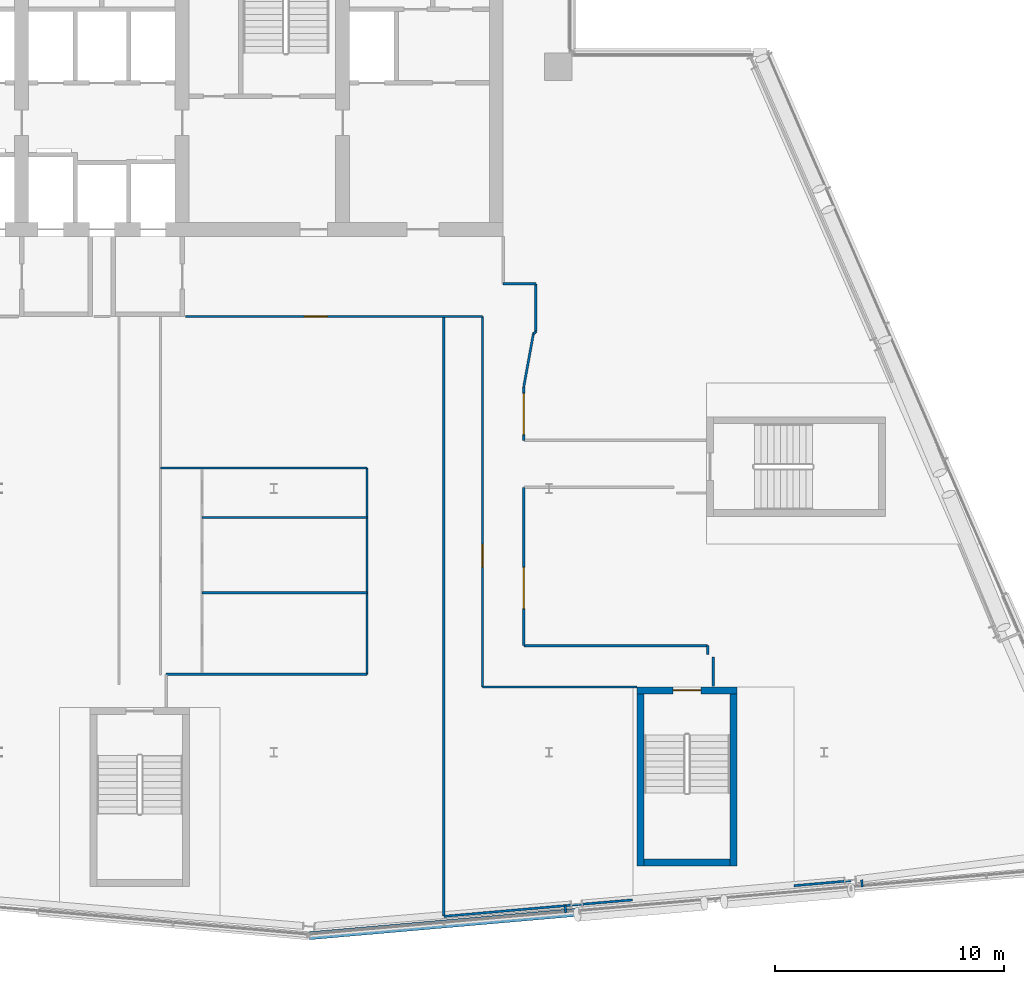
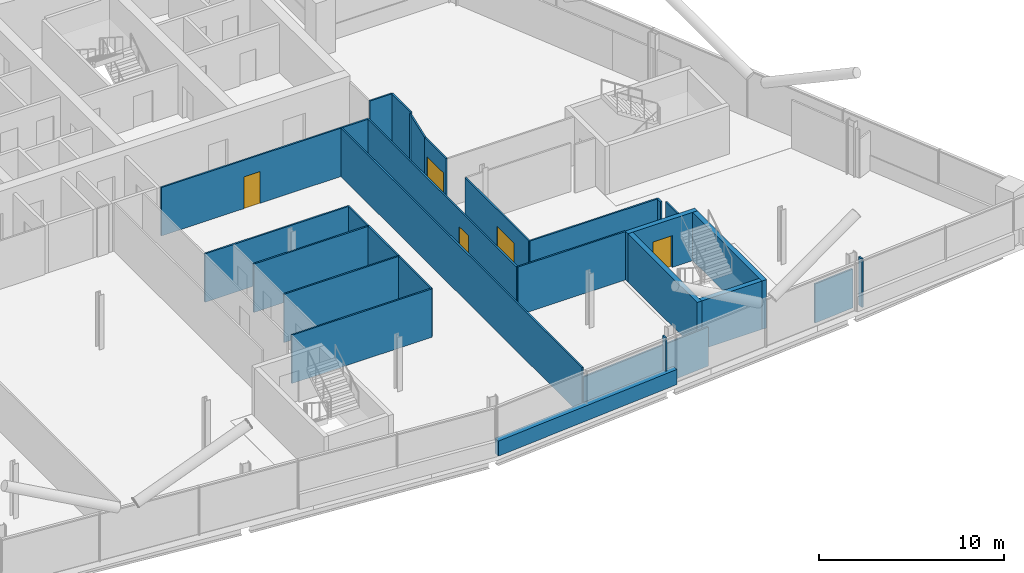
# One storey, part 16 of 26: 28 walls, 5 doors, 5 openings.
"""IFC4 building model written with IfcOpenShell, lengths in metres."""

import ifcopenshell
import ifcopenshell.guid

model = None  # the IFC model being written
_history = None  # IfcOwnerHistory: only IFC2X3 demands one
_inside = {}  # id of a spatial element -> (the spatial element, [elements in it])
_under = {}  # id of a project, library or spatial element -> (it, [spatial elements below it])
_declared = {}  # id of a project -> (the project, [libraries it declares])
_typed = {}  # id of a type object -> (the type object, [elements of that type])
_made_of = {}  # id of a material, layer set ... -> (it, [elements and type objects made of it])


def new_model(schema):
    """Start an empty IFC model of exactly this schema.

    Asked for "IFC4X3", IfcOpenShell would pick the latest addendum, in which some entities
    have other attributes; the version numbers below select the first issue.
    IFC2X3 requires an IfcOwnerHistory on every rooted entity: one is made here for all.
    """
    global model, _history
    if schema == "IFC4X3":
        model = ifcopenshell.file(schema_version=(4, 3, 0, 0))
    else:
        model = ifcopenshell.file(schema=schema)
    _inside.clear()
    _under.clear()
    _declared.clear()
    _typed.clear()
    _made_of.clear()
    _history = None
    if model.schema == "IFC2X3":
        org = make("IfcOrganization", Name="unknown")
        user = make(
            "IfcPersonAndOrganization",
            ThePerson=make("IfcPerson", FamilyName="unknown"),
            TheOrganization=org,
        )
        app = make(
            "IfcApplication",
            ApplicationDeveloper=org,
            Version="unknown",
            ApplicationFullName="unknown",
            ApplicationIdentifier="unknown",
        )
        _history = make(
            "IfcOwnerHistory",
            OwningUser=user,
            OwningApplication=app,
            ChangeAction="ADDED",
            CreationDate=0,
        )
    return model


def make(cls, **values):
    """One entity of the class cls with the attributes given. An attribute that is None is left unset."""
    return model.create_entity(
        cls, **{name: value for name, value in values.items() if value is not None}
    )


def rooted(cls, **values):
    """An entity with a GlobalId (a new one), such as an element, a storey or a relation."""
    return make(cls, GlobalId=ifcopenshell.guid.new(), OwnerHistory=_history, **values)


def si_unit(unit_type, name, prefix=None):
    """IfcSIUnit, for example si_unit("LENGTHUNIT", "METRE", prefix="MILLI")."""
    return make("IfcSIUnit", UnitType=unit_type, Prefix=prefix, Name=name)


def assignment(units):
    """IfcUnitAssignment: the units of a project."""
    return None if units is None else make("IfcUnitAssignment", Units=units)


def point(xyz):
    """IfcCartesianPoint."""
    return None if xyz is None else make("IfcCartesianPoint", Coordinates=xyz)


def direction(xyz):
    """IfcDirection."""
    return None if xyz is None else make("IfcDirection", DirectionRatios=xyz)


def frame(location, z_axis=None, x_axis=None):
    """IfcAxis2Placement3D, a coordinate frame: its origin and axes. An axis left out is left unset."""
    return make(
        "IfcAxis2Placement3D",
        Location=point(location),
        Axis=direction(z_axis),
        RefDirection=direction(x_axis),
    )


def frame_2d(location, x_axis=None):
    """IfcAxis2Placement2D, a coordinate frame in the plane: its origin and x axis."""
    return make(
        "IfcAxis2Placement2D", Location=point(location), RefDirection=direction(x_axis)
    )


def origin():
    """The frame at (0, 0, 0) with its axes left unset."""
    return frame((0.0, 0.0, 0.0))


def place(relative_to, where):
    """IfcLocalPlacement: puts the frame where relative to a parent placement (None: the world)."""
    return make(
        "IfcLocalPlacement", PlacementRelTo=relative_to, RelativePlacement=where
    )


def context(
    kind, dimensions, precision=None, world=None, true_north=None, identifier=None
):
    """IfcGeometricRepresentationContext, for example the 3D "Model" context."""
    return make(
        "IfcGeometricRepresentationContext",
        ContextIdentifier=identifier,
        ContextType=kind,
        CoordinateSpaceDimension=dimensions,
        Precision=precision,
        WorldCoordinateSystem=world,
        TrueNorth=true_north,
    )


def subcontext(parent, identifier, kind, view, scale=None):
    """IfcGeometricRepresentationSubContext, for example "Body" below "Model"."""
    return make(
        "IfcGeometricRepresentationSubContext",
        ContextIdentifier=identifier,
        ContextType=kind,
        ParentContext=parent,
        TargetScale=scale,
        TargetView=view,
    )


def project(units=None, contexts=None):
    """IfcProject with its units and contexts."""
    return rooted(
        "IfcProject",
        Name="project",
        RepresentationContexts=contexts,
        UnitsInContext=assignment(units),
    )


def spatial(cls, under=None, at=None, **own):
    """A site, building, storey or space (cls), placed at a placement, below another one or the project."""
    s = rooted(cls, ObjectPlacement=at, **own)
    if under is not None:
        _under.setdefault(under.id(), (under, []))[1].append(s)
    return s


def profile(cls, at=None, kind="AREA", **sizes):
    """A parametric profile (cls). Its sizes go by their IFC names, for example OverallWidth=200.0."""
    return make(cls, ProfileType=kind, Position=at, **sizes)


def rectangle(**sizes):
    """IfcRectangleProfileDef."""
    return profile("IfcRectangleProfileDef", **sizes)


def extrude(swept, where, along, depth):
    """IfcExtrudedAreaSolid: the profile swept, set in the frame where, extruded along a direction by depth."""
    return make(
        "IfcExtrudedAreaSolid",
        SweptArea=swept,
        Position=where,
        ExtrudedDirection=direction(along),
        Depth=depth,
    )


def shape(context_of_items, identifier, shape_type, items):
    """IfcShapeRepresentation: the items that make up one representation, for example the "Body"."""
    return make(
        "IfcShapeRepresentation",
        ContextOfItems=context_of_items,
        RepresentationIdentifier=identifier,
        RepresentationType=shape_type,
        Items=items,
    )


def material(Name=None, Category=None):
    """IfcMaterial."""
    return make("IfcMaterial", Name=Name, Category=Category)


def layer(
    of_material, thickness, ventilated=None, Name=None, Category=None, Priority=None
):
    """IfcMaterialLayer: one layer of a wall or slab, of a material (None: an air gap)."""
    return make(
        "IfcMaterialLayer",
        Material=of_material,
        LayerThickness=thickness,
        IsVentilated=ventilated,
        Name=Name,
        Category=Category,
        Priority=Priority,
    )


def layer_set(layers, Name=None):
    """IfcMaterialLayerSet."""
    return make("IfcMaterialLayerSet", MaterialLayers=layers, LayerSetName=Name)


def made_of(thing, what):
    """Note that an element or type object is made of a material, layer set ...; save() writes the relation."""
    if what is not None:
        _made_of.setdefault(what.id(), (what, []))[1].append(thing)
    return thing


def type_object(cls, material=None, **own):
    """A type object (cls), such as IfcWallType, which elements share."""
    return made_of(rooted(cls, **own), material)


def element(
    cls,
    number,
    at=None,
    inside=None,
    cuts=None,
    type_object=None,
    material=None,
    context=None,
    identifier="Body",
    shape_type=None,
    held_by="IfcProductDefinitionShape",
    body=None,
    shapes=None,
    **own,
):
    """One element of the class cls, such as IfcWall. Its Tag is "e" and its number.

    at: its placement. inside: the storey or other place that contains it. cuts: it is an
    opening in that element (IfcRelVoidsElement). A single representation is given by context,
    identifier, shape_type and body (its items); several are given by shapes. held_by: the class
    of the entity that holds the representations. save() writes the other relations.
    """
    e = rooted(cls, Tag="e%d" % number, ObjectPlacement=at, **own)
    if body is not None:
        shapes = [shape(context, identifier, shape_type, body)]
    if shapes is not None:
        e.Representation = make(held_by, Representations=shapes)
    if inside is not None:
        _inside.setdefault(inside.id(), (inside, []))[1].append(e)
    if cuts is not None:
        rooted(
            "IfcRelVoidsElement", RelatingBuildingElement=cuts, RelatedOpeningElement=e
        )
    if type_object is not None:
        _typed.setdefault(type_object.id(), (type_object, []))[1].append(e)
    return made_of(e, material)


def fill(opening, filler):
    """IfcRelFillsElement: the door or window that sits in an opening."""
    return rooted(
        "IfcRelFillsElement",
        RelatingOpeningElement=opening,
        RelatedBuildingElement=filler,
    )


def aggregate(whole, parts):
    """IfcRelAggregates: a whole, such as a stair, and the parts it consists of."""
    return rooted("IfcRelAggregates", RelatingObject=whole, RelatedObjects=parts)


def save(model, path):
    """Write the relations noted so far, then the file.

    IfcRelAggregates (storeys below a building ...), IfcRelContainedInSpatialStructure (elements
    in a storey), IfcRelDefinesByType, IfcRelAssociatesMaterial and IfcRelDeclares: one each for
    every whole, place, type object, material and project.
    """
    for whole, parts in _under.values():
        aggregate(whole, parts)
    for where, things in _inside.values():
        rooted(
            "IfcRelContainedInSpatialStructure",
            RelatedElements=things,
            RelatingStructure=where,
        )
    for kind, things in _typed.values():
        rooted("IfcRelDefinesByType", RelatedObjects=things, RelatingType=kind)
    for what, things in _made_of.values():
        rooted("IfcRelAssociatesMaterial", RelatedObjects=things, RelatingMaterial=what)
    for by, libraries in _declared.values():
        rooted("IfcRelDeclares", RelatingContext=by, RelatedDefinitions=libraries)
    model.write(path)


model = new_model("IFC4")

# Units and contexts
model_context = context("Model", 3, precision=1e-05, world=origin(), true_north=direction((0.0, 1.0)))
body_context = subcontext(model_context, "Body", "Model", "MODEL_VIEW")
ifc_project = project(units=[si_unit("LENGTHUNIT", "METRE"), si_unit("AREAUNIT", "SQUARE_METRE"), si_unit("VOLUMEUNIT", "CUBIC_METRE"), si_unit("PLANEANGLEUNIT", "RADIAN"), si_unit("MASSUNIT", "GRAM", prefix="KILO")], contexts=[model_context])

# Site, building, storey
site_placement = place(None, origin())
site = spatial("IfcSite", under=ifc_project, at=site_placement, CompositionType="ELEMENT")
building_placement = place(site_placement, origin())
building = spatial("IfcBuilding", under=site, at=building_placement, Name="Wharfspan Tower", CompositionType="ELEMENT")
storey_placement = place(building_placement, frame((0.0, 0.0, 235.899902)))
storey = spatial("IfcBuildingStorey", under=building, at=storey_placement, Name="L59", CompositionType="ELEMENT", Elevation=235.899902)

# Wall, opening, door
ifc_material_1 = material(Name="Gypsum board on steel studs", Category="steel")
ifc_layer_1 = layer(ifc_material_1, 0.100098)
ifc_layer_set_1 = layer_set([ifc_layer_1], Name="Gypsum board on steel studs")
wall_type_1 = type_object("IfcWallType", Name="Compartment wall 100 EI 60", PredefinedType="PARTITIONING", material=ifc_layer_set_1)
wall_1_placement = place(storey_placement, frame((44.149902, 30.5, 0.0), z_axis=(0.0, 0.0, 1.0), x_axis=(1.0, 0.0, 0.0)))
wall_1 = element("IfcWall", 1, at=wall_1_placement, inside=storey, type_object=wall_type_1, Name="Partition L59.w015", PredefinedType="PARTITIONING", context=body_context, shape_type="SweptSolid", body=[
    extrude(rectangle(XDim=12.950195, YDim=0.100098, at=frame_2d((6.475098, 0.0))), origin(), (0.0, 0.0, 1.0), 3.200195),
])
opening_1_placement = place(wall_1_placement, frame((5.169922, 0.0, 0.0)))
opening_1 = element("IfcOpeningElement", 2, at=opening_1_placement, cuts=wall_1, Name="Opening D4-10", PredefinedType="OPENING", context=body_context, shape_type="SweptSolid", body=[
    extrude(rectangle(XDim=1.0, YDim=2.100098, at=frame_2d((0.5, 1.050049))), frame((0.0, 0.060059, 0.0), z_axis=(0.0, -1.0, 0.0), x_axis=(1.0, 0.0, 0.0)), (0.0, 0.0, 1.0), 0.120117),
])
ifc_material_2 = material(Name="Fire-rated timber door leaf in steel frame", Category="steel")
door_type_1 = type_object("IfcDoorType", Name="Door 1000 FD30S Left", OperationType="SINGLE_SWING_LEFT", PredefinedType="DOOR", material=ifc_material_2)
door_1_placement = place(opening_1_placement, origin())
door_1 = element("IfcDoor", 3, at=door_1_placement, inside=storey, type_object=door_type_1, Name="Door D4-10", OperationType="SINGLE_SWING_LEFT", OverallHeight=2.100098, OverallWidth=1.0, PredefinedType="DOOR", context=body_context, shape_type="SweptSolid", body=[
    extrude(rectangle(XDim=1.0, YDim=2.100098, at=frame_2d((0.5, 1.050049))), frame((0.0, 0.024902, 0.0), z_axis=(0.0, -1.0, 0.0), x_axis=(1.0, 0.0, 0.0)), (0.0, 0.0, 1.0), 0.050049),
])
fill(opening_1, door_1)

# Walls
wall_2_placement = place(storey_placement, frame((43.060059, 23.89502, 0.0), z_axis=(0.0, 0.0, 1.0), x_axis=(1.0, 0.0, 0.0)))
element("IfcWall", 4, at=wall_2_placement, inside=storey, type_object=wall_type_1, Name="Partition L59.w016", PredefinedType="PARTITIONING", context=body_context, shape_type="SweptSolid", body=[
    extrude(rectangle(XDim=9.0, YDim=0.100098, at=frame_2d((4.5, 0.0))), origin(), (0.0, 0.0, 1.0), 3.200195),
])
wall_3_placement = place(storey_placement, frame((55.415039, 4.344971, 0.0), z_axis=(0.0, 0.0, 1.0), x_axis=(0.0, 1.0, 0.0)))
element("IfcWall", 5, at=wall_3_placement, inside=storey, type_object=wall_type_1, Name="Partition L59.w024", PredefinedType="PARTITIONING", context=body_context, shape_type="SweptSolid", body=[
    extrude(rectangle(XDim=26.155029, YDim=0.100098, at=frame_2d((13.077637, 0.0))), origin(), (0.0, 0.0, 1.0), 3.200195),
])

# Wall, opening, door
wall_4_placement = place(storey_placement, frame((57.100098, 14.344971, 0.0), z_axis=(0.0, 0.0, 1.0), x_axis=(0.0, 1.0, 0.0)))
wall_4 = element("IfcWall", 6, at=wall_4_placement, inside=storey, type_object=wall_type_1, Name="Partition L59.w026", PredefinedType="PARTITIONING", context=body_context, shape_type="SweptSolid", body=[
    extrude(rectangle(XDim=16.155029, YDim=0.100098, at=frame_2d((8.077637, 0.0))), origin(), (0.0, 0.0, 1.0), 3.200195),
])
opening_2_placement = place(wall_4_placement, frame((5.215088, 0.0, 0.0)))
opening_2 = element("IfcOpeningElement", 7, at=opening_2_placement, cuts=wall_4, Name="Opening D4-04", PredefinedType="OPENING", context=body_context, shape_type="SweptSolid", body=[
    extrude(rectangle(XDim=1.0, YDim=2.100098, at=frame_2d((0.5, 1.050049))), frame((0.0, 0.060059, 0.0), z_axis=(0.0, -1.0, 0.0), x_axis=(1.0, 0.0, 0.0)), (0.0, 0.0, 1.0), 0.120117),
])
door_2_placement = place(opening_2_placement, origin())
door_2 = element("IfcDoor", 8, at=door_2_placement, inside=storey, type_object=door_type_1, Name="Door D4-04", OperationType="SINGLE_SWING_LEFT", OverallHeight=2.100098, OverallWidth=1.0, PredefinedType="DOOR", context=body_context, shape_type="SweptSolid", body=[
    extrude(rectangle(XDim=1.0, YDim=2.100098, at=frame_2d((0.5, 1.050049))), frame((0.0, 0.024902, 0.0), z_axis=(0.0, -1.0, 0.0), x_axis=(1.0, 0.0, 0.0)), (0.0, 0.0, 1.0), 0.050049),
])
fill(opening_2, door_2)

# Walls
wall_5_placement = place(storey_placement, frame((57.100098, 14.344971, 0.0), z_axis=(0.0, 0.0, 1.0), x_axis=(1.0, 0.0, 0.0)))
element("IfcWall", 9, at=wall_5_placement, inside=storey, type_object=wall_type_1, Name="Partition L59.w027", PredefinedType="PARTITIONING", context=body_context, shape_type="SweptSolid", body=[
    extrude(rectangle(XDim=6.743652, YDim=0.100098, at=frame_2d((3.371826, 0.0))), origin(), (0.0, 0.0, 1.0), 3.200195),
])
wall_6_placement = place(storey_placement, frame((58.0, 31.925049, 0.0), z_axis=(0.0, 0.0, 1.0), x_axis=(1.0, 0.0, 0.0)))
element("IfcWall", 10, at=wall_6_placement, inside=storey, type_object=wall_type_1, Name="Partition L59.w029", PredefinedType="PARTITIONING", context=body_context, shape_type="SweptSolid", body=[
    extrude(rectangle(XDim=1.425049, YDim=0.100098, at=frame_2d((0.712402, 0.0))), origin(), (0.0, 0.0, 1.0), 3.200195),
])

# Wall, opening, door
wall_7_placement = place(storey_placement, frame((58.899902, 16.14502, 0.0), z_axis=(0.0, 0.0, 1.0), x_axis=(0.0, 1.0, 0.0)))
wall_7 = element("IfcWall", 11, at=wall_7_placement, inside=storey, type_object=wall_type_1, Name="Partition L59.w030", PredefinedType="PARTITIONING", context=body_context, shape_type="SweptSolid", body=[
    extrude(rectangle(XDim=6.905029, YDim=0.100098, at=frame_2d((3.452637, 0.0))), origin(), (0.0, 0.0, 1.0), 3.200195),
])
opening_3_placement = place(wall_7_placement, frame((1.611328, 0.0, 0.0)))
opening_3 = element("IfcOpeningElement", 12, at=opening_3_placement, cuts=wall_7, Name="Opening D4-02", PredefinedType="OPENING", context=body_context, shape_type="SweptSolid", body=[
    extrude(rectangle(XDim=1.800049, YDim=2.100098, at=frame_2d((0.899902, 1.050049))), frame((0.0, 0.060059, 0.0), z_axis=(0.0, -1.0, 0.0), x_axis=(1.0, 0.0, 0.0)), (0.0, 0.0, 1.0), 0.120117),
])
door_type_2 = type_object("IfcDoorType", Name="Door 1800 FD30S Double", OperationType="DOUBLE_DOOR_SINGLE_SWING", PredefinedType="DOOR", material=ifc_material_2)
door_3_placement = place(opening_3_placement, origin())
door_3 = element("IfcDoor", 13, at=door_3_placement, inside=storey, type_object=door_type_2, Name="Door D4-02", OperationType="DOUBLE_DOOR_SINGLE_SWING", OverallHeight=2.100098, OverallWidth=1.800049, PredefinedType="DOOR", context=body_context, shape_type="SweptSolid", body=[
    extrude(rectangle(XDim=1.800049, YDim=2.100098, at=frame_2d((0.899902, 1.050049))), frame((0.0, 0.024902, 0.0), z_axis=(0.0, -1.0, 0.0), x_axis=(1.0, 0.0, 0.0)), (0.0, 0.0, 1.0), 0.050049),
])
fill(opening_3, door_3)

# Wall
wall_8_placement = place(storey_placement, frame((58.899902, 16.14502, 0.0), z_axis=(0.0, 0.0, 1.0), x_axis=(1.0, 0.0, 0.0)))
element("IfcWall", 14, at=wall_8_placement, inside=storey, type_object=wall_type_1, Name="Partition L59.w031", PredefinedType="PARTITIONING", context=body_context, shape_type="SweptSolid", body=[
    extrude(rectangle(XDim=8.02002, YDim=0.100098, at=frame_2d((4.01001, 0.0))), origin(), (0.0, 0.0, 1.0), 3.200195),
])

# Wall, opening, door
wall_9_placement = place(storey_placement, frame((58.899902, 25.100098, 0.0), z_axis=(0.0, 0.0, 1.0), x_axis=(0.0, 1.0, 0.0)))
wall_9 = element("IfcWall", 15, at=wall_9_placement, inside=storey, type_object=wall_type_1, Name="Partition L59.w033", PredefinedType="PARTITIONING", context=body_context, shape_type="SweptSolid", body=[
    extrude(rectangle(XDim=2.334961, YDim=0.100098, at=frame_2d((1.16748, 0.0))), origin(), (0.0, 0.0, 1.0), 3.200195),
])
opening_4_placement = place(wall_9_placement, frame((0.25, 0.0, 0.0)))
opening_4 = element("IfcOpeningElement", 16, at=opening_4_placement, cuts=wall_9, Name="Opening D4-07", PredefinedType="OPENING", context=body_context, shape_type="SweptSolid", body=[
    extrude(rectangle(XDim=1.800049, YDim=2.100098, at=frame_2d((0.899902, 1.050049))), frame((0.0, 0.060059, 0.0), z_axis=(0.0, -1.0, 0.0), x_axis=(1.0, 0.0, 0.0)), (0.0, 0.0, 1.0), 0.120117),
])
door_4_placement = place(opening_4_placement, origin())
door_4 = element("IfcDoor", 17, at=door_4_placement, inside=storey, type_object=door_type_2, Name="Door D4-07", OperationType="DOUBLE_DOOR_SINGLE_SWING", OverallHeight=2.100098, OverallWidth=1.800049, PredefinedType="DOOR", context=body_context, shape_type="SweptSolid", body=[
    extrude(rectangle(XDim=1.800049, YDim=2.100098, at=frame_2d((0.899902, 1.050049))), frame((0.0, 0.024902, 0.0), z_axis=(0.0, -1.0, 0.0), x_axis=(1.0, 0.0, 0.0)), (0.0, 0.0, 1.0), 0.050049),
])
fill(opening_4, door_4)

# Walls
wall_10_placement = place(storey_placement, frame((58.899902, 27.435059, 0.0), z_axis=(0.0, 0.0, 1.0), x_axis=(0.178584, 0.983924, 0.0)))
element("IfcWall", 18, at=wall_10_placement, inside=storey, type_object=wall_type_1, Name="Partition L59.w035", PredefinedType="PARTITIONING", context=body_context, shape_type="SweptSolid", body=[
    extrude(rectangle(XDim=2.352783, YDim=0.100098, at=frame_2d((1.17627, 0.0))), origin(), (0.0, 0.0, 1.0), 3.200195),
])
wall_11_placement = place(storey_placement, frame((59.320068, 29.75, 0.0), z_axis=(0.0, 0.0, 1.0), x_axis=(0.741581, 0.670872, 0.0)))
element("IfcWall", 19, at=wall_11_placement, inside=storey, type_object=wall_type_1, Name="Partition L59.w036", PredefinedType="PARTITIONING", context=body_context, shape_type="SweptSolid", body=[
    extrude(rectangle(XDim=0.141602, YDim=0.100098, at=frame_2d((0.070801, 0.0))), origin(), (0.0, 0.0, 1.0), 3.200195),
])
wall_12_placement = place(storey_placement, frame((59.425049, 29.844971, 0.0), z_axis=(0.0, 0.0, 1.0), x_axis=(0.0, 1.0, 0.0)))
element("IfcWall", 20, at=wall_12_placement, inside=storey, type_object=wall_type_1, Name="Partition L59.w037", PredefinedType="PARTITIONING", context=body_context, shape_type="SweptSolid", body=[
    extrude(rectangle(XDim=2.080078, YDim=0.100098, at=frame_2d((1.040039, 0.0))), origin(), (0.0, 0.0, 1.0), 3.200195),
])
wall_13_placement = place(storey_placement, frame((66.919922, 15.764893, 0.0), z_axis=(0.0, 0.0, 1.0), x_axis=(0.0, 1.0, 0.0)))
element("IfcWall", 21, at=wall_13_placement, inside=storey, type_object=wall_type_1, Name="Partition L59.w041", PredefinedType="PARTITIONING", context=body_context, shape_type="SweptSolid", body=[
    extrude(rectangle(XDim=0.380127, YDim=0.100098, at=frame_2d((0.189941, 0.0))), origin(), (0.0, 0.0, 1.0), 3.200195),
])
wall_14_placement = place(storey_placement, frame((67.169922, 14.366211, 0.0), z_axis=(0.0, 0.0, 1.0), x_axis=(0.0, 1.0, 0.0)))
element("IfcWall", 22, at=wall_14_placement, inside=storey, type_object=wall_type_1, Name="Partition L59.w042", PredefinedType="PARTITIONING", context=body_context, shape_type="SweptSolid", body=[
    extrude(rectangle(XDim=1.278809, YDim=0.100098, at=frame_2d((0.639404, 0.0))), origin(), (0.0, 0.0, 1.0), 3.200195),
])
ifc_layer_2 = layer(ifc_material_1, 0.100098)
ifc_layer_set_2 = layer_set([ifc_layer_2], Name="Gypsum board on steel studs")
wall_type_2 = type_object("IfcWallType", Name="Partition 100", PredefinedType="PARTITIONING", material=ifc_layer_set_2)
wall_15_placement = place(storey_placement, frame((43.304932, 14.89502, 0.0), z_axis=(0.0, 0.0, 1.0), x_axis=(1.0, 0.0, 0.0)))
element("IfcWall", 23, at=wall_15_placement, inside=storey, type_object=wall_type_2, Name="Partition L59.w018", PredefinedType="PARTITIONING", context=body_context, shape_type="SweptSolid", body=[
    extrude(rectangle(XDim=8.755127, YDim=0.100098, at=frame_2d((4.377441, 0.0))), origin(), (0.0, 0.0, 1.0), 3.200195),
])
for number, where, z_axis, x_axis, name in (
    (24, (44.86499, 18.449951, 0.0), (0.0, 0.0, 1.0), (1.0, 0.0, 0.0), "Partition L59.w020"),
    (25, (44.86499, 21.735107, 0.0), (0.0, 0.0, 1.0), (1.0, 0.0, 0.0), "Partition L59.w021"),
):
    element("IfcWall", number, at=place(storey_placement, frame(where, z_axis=z_axis, x_axis=x_axis)), inside=storey, type_object=wall_type_2, Name=name, PredefinedType="PARTITIONING", context=body_context, shape_type="SweptSolid", body=[
        extrude(rectangle(XDim=7.195068, YDim=0.100098, at=frame_2d((3.597656, 0.0))), origin(), (0.0, 0.0, 1.0), 3.200195),
    ])
wall_16_placement = place(storey_placement, frame((52.064941, 14.89502, 0.0), z_axis=(0.0, 0.0, 1.0), x_axis=(0.0, 1.0, 0.0)))
element("IfcWall", 26, at=wall_16_placement, inside=storey, type_object=wall_type_2, Name="Partition L59.w022", PredefinedType="PARTITIONING", context=body_context, shape_type="SweptSolid", body=[
    extrude(rectangle(XDim=9.0, YDim=0.100098, at=frame_2d((4.5, 0.0))), origin(), (0.0, 0.0, 1.0), 3.200195),
])
wall_17_placement = place(storey_placement, frame((55.415039, 4.340088, 0.0), z_axis=(0.0, 0.0, 1.0), x_axis=(0.996159, 0.087534, 0.0)))
element("IfcWall", 27, at=wall_17_placement, inside=storey, type_object=wall_type_2, Name="Partition L59.w023", PredefinedType="PARTITIONING", context=body_context, shape_type="SweptSolid", body=[
    extrude(rectangle(XDim=5.310303, YDim=0.100098, at=frame_2d((2.655273, 0.0))), origin(), (0.0, 0.0, 1.0), 2.580078),
])
wall_18_placement = place(storey_placement, frame((60.705078, 4.804932, 0.0), z_axis=(0.0, 0.0, 1.0), x_axis=(0.996324, 0.085692, 0.0)))
element("IfcWall", 28, at=wall_18_placement, inside=storey, type_object=wall_type_2, Name="Partition L59.w038", PredefinedType="PARTITIONING", context=body_context, shape_type="SweptSolid", body=[
    extrude(rectangle(XDim=2.95459, YDim=0.100098, at=frame_2d((1.477295, 0.0))), origin(), (0.0, 0.0, 1.0), 2.580078),
])
wall_19_placement = place(storey_placement, frame((60.73291, 4.49707, 0.0), z_axis=(0.0, 0.0, 1.0), x_axis=(-0.090037, 0.995936, 0.0)))
element("IfcWall", 29, at=wall_19_placement, inside=storey, type_object=wall_type_2, Name="Partition L59.w039", PredefinedType="PARTITIONING", context=body_context, shape_type="SweptSolid", body=[
    extrude(rectangle(XDim=0.309082, YDim=0.100098, at=frame_2d((0.154541, 0.0))), origin(), (0.0, 0.0, 1.0), 3.200195),
])
wall_20_placement = place(storey_placement, frame((70.688721, 5.676758, 0.0), z_axis=(0.0, 0.0, 1.0), x_axis=(0.996136, 0.087799, 0.0)))
element("IfcWall", 30, at=wall_20_placement, inside=storey, type_object=wall_type_2, Name="Partition L59.w043", PredefinedType="PARTITIONING", context=body_context, shape_type="SweptSolid", body=[
    extrude(rectangle(XDim=2.48584, YDim=0.100098, at=frame_2d((1.24292, 0.0))), origin(), (0.0, 0.0, 1.0), 2.580078),
])
wall_21_placement = place(storey_placement, frame((73.66333, 5.628174, 0.0), z_axis=(0.0, 0.0, 1.0), x_axis=(-0.091893, 0.995772, 0.0)))
element("IfcWall", 31, at=wall_21_placement, inside=storey, type_object=wall_type_2, Name="Partition L59.w045", PredefinedType="PARTITIONING", context=body_context, shape_type="SweptSolid", body=[
    extrude(rectangle(XDim=0.308105, YDim=0.100098, at=frame_2d((0.154053, 0.0))), origin(), (0.0, 0.0, 1.0), 3.200195),
])
ifc_material_3 = material(Name="Concrete C40/50", Category="concrete")
ifc_layer_3 = layer(ifc_material_3, 0.350098)
ifc_layer_set_3 = layer_set([ifc_layer_3], Name="Concrete C40/50")
wall_type_3 = type_object("IfcWallType", Name="SPANDREL EXPOSED CONCRETE 350", PredefinedType="SOLIDWALL", material=ifc_layer_set_3)
wall_22_placement = place(storey_placement, frame((49.54541, 3.493164, 0.0), z_axis=(0.0, 0.0, 1.0), x_axis=(0.996196, 0.087141, 0.0)))
element("IfcWall", 32, at=wall_22_placement, inside=storey, type_object=wall_type_3, Name="Spandrel upstand L59 S2 1", PredefinedType="SOLIDWALL", context=body_context, shape_type="SweptSolid", body=[
    extrude(rectangle(XDim=11.803467, YDim=0.350098, at=frame_2d((5.901855, 0.0))), origin(), (0.0, 0.0, 1.0), 1.0),
])

# Wall, opening, door
ifc_layer_4 = layer(ifc_material_3, 0.300049)
ifc_layer_set_4 = layer_set([ifc_layer_4], Name="Concrete C40/50")
wall_type_4 = type_object("IfcWallType", Name="Stair core wall 300", PredefinedType="SHEAR", material=ifc_layer_set_4)
wall_23_placement = place(storey_placement, frame((63.84375, 14.196289, 0.0), z_axis=(0.0, 0.0, 1.0), x_axis=(1.0, 0.0, 0.0)))
wall_23 = element("IfcWall", 33, at=wall_23_placement, inside=storey, type_object=wall_type_4, Name="ST5 stair enclosure wall L59", PredefinedType="SHEAR", context=body_context, shape_type="SweptSolid", body=[
    extrude(rectangle(XDim=4.350098, YDim=0.300049, at=frame_2d((2.175049, 0.0))), origin(), (0.0, 0.0, 1.0), 3.200195),
])
opening_5_placement = place(wall_23_placement, frame((1.574951, 0.0, 0.0)))
opening_5 = element("IfcOpeningElement", 34, at=opening_5_placement, cuts=wall_23, Name="Opening SD5.L59", PredefinedType="OPENING", context=body_context, shape_type="SweptSolid", body=[
    extrude(rectangle(XDim=1.199951, YDim=2.100098, at=frame_2d((0.600098, 1.050049))), frame((0.0, 0.159912, 0.0), z_axis=(0.0, -1.0, 0.0), x_axis=(1.0, 0.0, 0.0)), (0.0, 0.0, 1.0), 0.320068),
])
ifc_material_4 = material(Name="Steel door leaf", Category="steel")
door_type_3 = type_object("IfcDoorType", Name="Stair door 1200x2100", OperationType="SINGLE_SWING_LEFT", PredefinedType="DOOR", material=ifc_material_4)
door_5_placement = place(opening_5_placement, origin())
door_5 = element("IfcDoor", 35, at=door_5_placement, inside=storey, type_object=door_type_3, Name="sd:L59:ST5z4", OperationType="SINGLE_SWING_RIGHT", OverallHeight=2.100098, OverallWidth=1.199951, PredefinedType="DOOR", context=body_context, shape_type="SweptSolid", body=[
    extrude(rectangle(XDim=1.199951, YDim=2.100098, at=frame_2d((0.600098, 1.050049))), frame((0.0, 0.024902, 0.0), z_axis=(0.0, -1.0, 0.0), x_axis=(1.0, 0.0, 0.0)), (0.0, 0.0, 1.0), 0.050049),
])
fill(opening_5, door_5)

# Walls
for number, where, z_axis, x_axis, name in (
    (36, (63.993896, 6.546143, 0.0), (0.0, 0.0, 1.0), (0.0, 1.0, 0.0), "ST5 stair enclosure wall L59"),
    (37, (68.043701, 6.546143, 0.0), (0.0, 0.0, 1.0), (0.0, 1.0, 0.0), "ST5 stair enclosure wall L59"),
):
    element("IfcWall", number, at=place(storey_placement, frame(where, z_axis=z_axis, x_axis=x_axis)), inside=storey, type_object=wall_type_4, Name=name, PredefinedType="SHEAR", context=body_context, shape_type="SweptSolid", body=[
        extrude(rectangle(XDim=7.5, YDim=0.300049, at=frame_2d((3.75, 0.0))), origin(), (0.0, 0.0, 1.0), 3.200195),
    ])
wall_24_placement = place(storey_placement, frame((64.143799, 6.696289, 0.0), z_axis=(0.0, 0.0, 1.0), x_axis=(1.0, 0.0, 0.0)))
element("IfcWall", 38, at=wall_24_placement, inside=storey, type_object=wall_type_4, Name="ST5 stair enclosure wall L59", PredefinedType="SHEAR", context=body_context, shape_type="SweptSolid", body=[
    extrude(rectangle(XDim=3.75, YDim=0.300049, at=frame_2d((1.875, 0.0))), origin(), (0.0, 0.0, 1.0), 3.200195),
])

save(model, "model.ifc")
